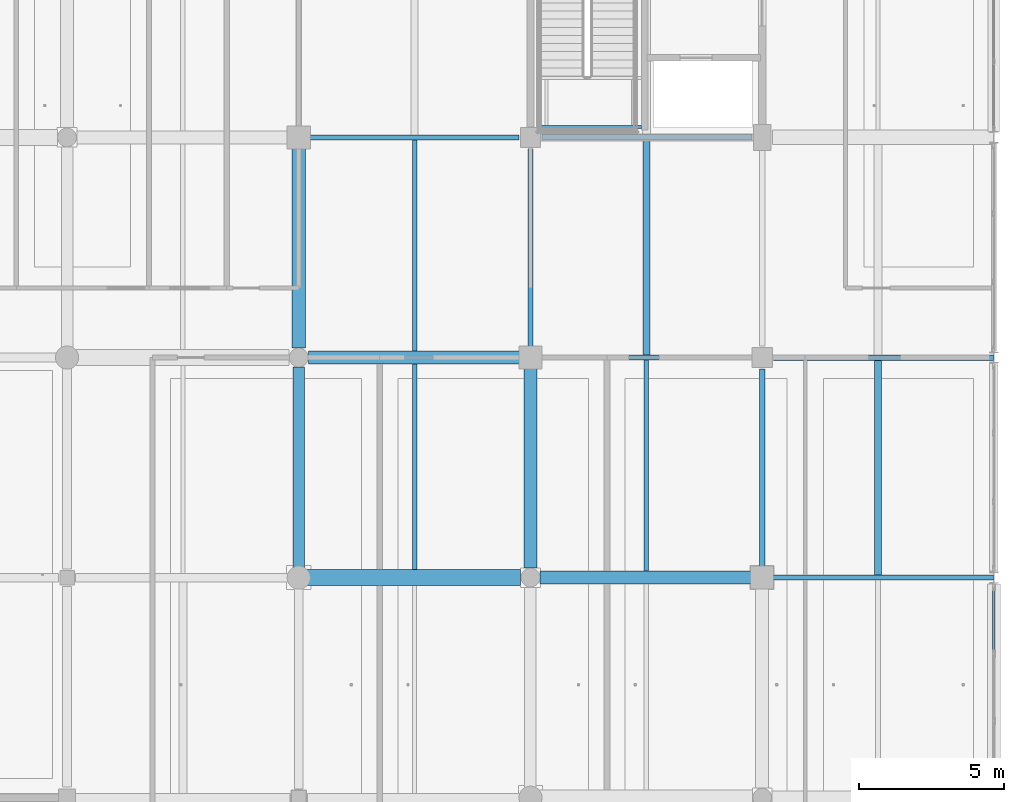
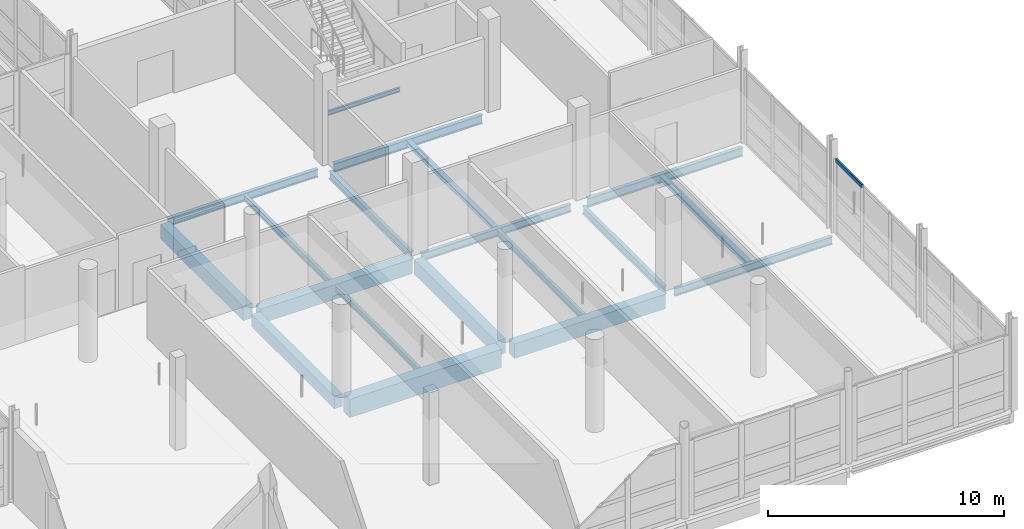
# One storey, part 47 of 147: 19 beams, 1 member, 1 element without a shape of its own.
"""IFC4 building model written with IfcOpenShell, lengths in metres."""

from ifc_helpers import new_model, si_unit, direction, frame, origin, origin_2d, place, context, subcontext, project, spatial, rectangle, hollow_rectangle, i_section, extrude, material, material_profile, profile_set, type_object, element, aggregate, save


model = new_model("IFC4")

# Units and contexts
model_context = context("Model", 3, precision=1e-05, world=origin(), true_north=direction((0.0, 1.0)))
body_context = subcontext(model_context, "Body", "Model", "MODEL_VIEW")
ifc_project = project(units=[si_unit("LENGTHUNIT", "METRE"), si_unit("AREAUNIT", "SQUARE_METRE"), si_unit("VOLUMEUNIT", "CUBIC_METRE"), si_unit("PLANEANGLEUNIT", "RADIAN"), si_unit("MASSUNIT", "GRAM", prefix="KILO")], contexts=[model_context])

# Site, building, storey
site_placement = place(None, origin())
site = spatial("IfcSite", under=ifc_project, at=site_placement, CompositionType="ELEMENT")
building_placement = place(site_placement, origin())
building = spatial("IfcBuilding", under=site, at=building_placement, Name="Khelvaren Railside Concert Hall", CompositionType="ELEMENT")
storey_placement = place(building_placement, frame((0.0, 0.0, 5.39990234375)))
storey = spatial("IfcBuildingStorey", under=building, at=storey_placement, Name="L01", CompositionType="ELEMENT", Elevation=5.39990234375)

# Beams
ifc_material_1 = material(Name="Steel S355", Category="steel")
ifc_material_profile_1 = material_profile(ifc_material_1, i_section(OverallWidth=0.179931640625, OverallDepth=0.39990234375, WebThickness=0.008544921875, FlangeThickness=0.013427734375, FilletRadius=0.02099609375, at=origin_2d()), Name="IPE 400")
ifc_profile_set_1 = profile_set([ifc_material_profile_1], Name="Steel S355")
beam_type_1 = type_object("IfcBeamType", Name="BM29", PredefinedType="BEAM", material=ifc_profile_set_1)
beam_1_placement = place(storey_placement, frame((176.27294921875, 15.199951171875, -0.5), z_axis=(1.0, 0.0, 0.0), x_axis=(0.0, 1.0, 0.0)))
element("IfcBeam", 1, at=beam_1_placement, inside=storey, type_object=beam_type_1, Name="V2 L01 Beam X3.5", PredefinedType="BEAM", context=body_context, shape_type="SweptSolid", body=[
    extrude(i_section(OverallWidth=0.179931640625, OverallDepth=0.39990234375, WebThickness=0.008544921875, FlangeThickness=0.013427734375, FilletRadius=0.02099609375, at=origin_2d()), origin(), (0.0, 0.0, 1.0), 7.717041015625),
])
for number, where, z_axis, x_axis, name in (
    (2, (168.27294921875, 22.800048828125, -0.5), (1.0, 0.0, 0.0), (0.0, 1.0, 0.0), "V2 L01 Beam X4.4"),
    (3, (160.27294921875, 30.39990234375, -0.5), (1.0, 0.0, 0.0), (0.0, 1.0, 0.0), "V2 L01 Beam X5.3"),
):
    element("IfcBeam", number, at=place(storey_placement, frame(where, z_axis=z_axis, x_axis=x_axis)), inside=storey, type_object=beam_type_1, Name=name, PredefinedType="BEAM", context=body_context, shape_type="SweptSolid", body=[
        extrude(i_section(OverallWidth=0.179931640625, OverallDepth=0.39990234375, WebThickness=0.008544921875, FlangeThickness=0.013427734375, FilletRadius=0.02099609375, at=origin_2d()), origin(), (0.0, 0.0, 1.0), 7.3271484375),
    ])
for number, where, z_axis, x_axis, name in (
    (4, (168.0, 23.072998046875, -0.5), (0.0, 1.0, 0.0), (-1.0, 0.0, 0.0), "V2 L01 Beam Y4.4"),
    (5, (176.0, 15.472900390625, -0.5), (0.0, 1.0, 0.0), (-1.0, 0.0, 0.0), "V2 L01 Beam Y5.3"),
):
    element("IfcBeam", number, at=place(storey_placement, frame(where, z_axis=z_axis, x_axis=x_axis)), inside=storey, type_object=beam_type_1, Name=name, PredefinedType="BEAM", context=body_context, shape_type="SweptSolid", body=[
        extrude(i_section(OverallWidth=0.179931640625, OverallDepth=0.39990234375, WebThickness=0.008544921875, FlangeThickness=0.013427734375, FilletRadius=0.02099609375, at=origin_2d()), origin(), (0.0, 0.0, 1.0), 6.927001953125),
    ])
ifc_material_2 = material(Name="Concrete C40/50", Category="concrete")
ifc_material_profile_2 = material_profile(ifc_material_2, rectangle(XDim=0.39990234375, YDim=0.64990234375, at=origin_2d()), Name="RCB 400x650")
ifc_profile_set_2 = profile_set([ifc_material_profile_2], Name="Concrete C40/50")
beam_type_2 = type_object("IfcBeamType", Name="BM33", PredefinedType="BEAM", material=ifc_profile_set_2)
beam_2_placement = place(storey_placement, frame((160.0, 15.449951171875, -0.625), z_axis=(0.0, 1.0, 0.0), x_axis=(-1.0, 0.0, 0.0)))
element("IfcBeam", 6, at=beam_2_placement, inside=storey, type_object=beam_type_2, Name="V2 L01 Beam Y3.3", PredefinedType="BEAM", context=body_context, shape_type="SweptSolid", body=[
    extrude(rectangle(XDim=0.39990234375, YDim=0.64990234375, at=origin_2d()), origin(), (0.0, 0.0, 1.0), 7.01416015625),
])
ifc_material_profile_3 = material_profile(ifc_material_2, rectangle(XDim=0.449951171875, YDim=0.75, at=origin_2d()), Name="RCB 450x750")
ifc_profile_set_3 = profile_set([ifc_material_profile_3], Name="Concrete C40/50")
beam_type_3 = type_object("IfcBeamType", Name="BM83", PredefinedType="BEAM", material=ifc_profile_set_3)
for number, where, z_axis, x_axis, name in (
    (7, (168.3359375, 15.199951171875, -0.6748046875), (1.0, 0.0, 0.0), (0.0, 1.0, 0.0), "V2 L01 Beam X3.4"),
    (8, (160.3359375, 22.800048828125, -0.6748046875), (1.0, 0.0, 0.0), (0.0, 1.0, 0.0), "V2 L01 Beam X4.3"),
):
    element("IfcBeam", number, at=place(storey_placement, frame(where, z_axis=z_axis, x_axis=x_axis)), inside=storey, type_object=beam_type_3, Name=name, PredefinedType="BEAM", context=body_context, shape_type="SweptSolid", body=[
        extrude(rectangle(XDim=0.449951171875, YDim=0.75, at=origin_2d()), origin(), (0.0, 0.0, 1.0), 7.39111328125),
    ])
beam_3_placement = place(storey_placement, frame((160.0, 23.135986328125, -0.6748046875), z_axis=(0.0, 1.0, 0.0), x_axis=(-1.0, 0.0, 0.0)))
element("IfcBeam", 9, at=beam_3_placement, inside=storey, type_object=beam_type_3, Name="V2 L01 Beam Y3.4", PredefinedType="BEAM", context=body_context, shape_type="SweptSolid", body=[
    extrude(rectangle(XDim=0.449951171875, YDim=0.75, at=origin_2d()), origin(), (0.0, 0.0, 1.0), 6.990966796875),
])
beam_4_placement = place(storey_placement, frame((168.0, 15.535888671875, -0.6748046875), z_axis=(0.0, 1.0, 0.0), x_axis=(-1.0, 0.0, 0.0)))
element("IfcBeam", 10, at=beam_4_placement, inside=storey, type_object=beam_type_3, Name="V2 L01 Beam Y4.3", PredefinedType="BEAM", context=body_context, shape_type="SweptSolid", body=[
    extrude(rectangle(XDim=0.449951171875, YDim=0.75, at=origin_2d()), origin(), (0.0, 0.0, 1.0), 6.9912109375),
])
ifc_material_profile_4 = material_profile(ifc_material_1, i_section(OverallWidth=0.110107421875, OverallDepth=0.219970703125, WebThickness=0.005859375, FlangeThickness=0.00927734375, FilletRadius=0.011962890625, at=origin_2d()), Name="IPE 220")
ifc_profile_set_4 = profile_set([ifc_material_profile_4], Name="Steel S355")
beam_type_4 = type_object("IfcBeamType", Name="BM87", PredefinedType="BEAM", material=ifc_profile_set_4)
beam_5_placement = place(storey_placement, frame((168.344970703125, 30.760009765625, 2.090087890625), z_axis=(1.0, 0.0, 0.0), x_axis=(0.0, 1.0, 0.0)))
element("IfcBeam", 11, at=beam_5_placement, inside=storey, type_object=beam_type_4, Name="ST-04 L01 Half-Landing Rear Beam", PredefinedType="BEAM", context=body_context, shape_type="SweptSolid", body=[
    extrude(i_section(OverallWidth=0.110107421875, OverallDepth=0.219970703125, WebThickness=0.005859375, FlangeThickness=0.00927734375, FilletRadius=0.011962890625, at=origin_2d()), origin(), (0.0, 0.0, 1.0), 3.4951171875),
])
ifc_material_profile_5 = material_profile(ifc_material_1, i_section(OverallWidth=0.18994140625, OverallDepth=0.449951171875, WebThickness=0.009521484375, FlangeThickness=0.0146484375, FilletRadius=0.02099609375, at=origin_2d()), Name="IPE 450")
ifc_profile_set_5 = profile_set([ifc_material_profile_5], Name="Steel S355")
beam_type_5 = type_object("IfcBeamType", Name="BM95", PredefinedType="BEAM", material=ifc_profile_set_5)
beam_6_placement = place(storey_placement, frame((176.39990234375, 22.800048828125, -0.52490234375), z_axis=(1.0, 0.0, 0.0), x_axis=(0.0, 1.0, 0.0)))
element("IfcBeam", 12, at=beam_6_placement, inside=storey, type_object=beam_type_5, Name="V2 L01 Beam X4.5", PredefinedType="BEAM", context=body_context, shape_type="SweptSolid", body=[
    extrude(i_section(OverallWidth=0.18994140625, OverallDepth=0.449951171875, WebThickness=0.009521484375, FlangeThickness=0.0146484375, FilletRadius=0.02099609375, at=origin_2d()), origin(), (0.0, 0.0, 1.0), 7.590087890625),
])
beam_7_placement = place(storey_placement, frame((168.39990234375, 30.39990234375, -0.52490234375), z_axis=(1.0, 0.0, 0.0), x_axis=(0.0, 1.0, 0.0)))
element("IfcBeam", 13, at=beam_7_placement, inside=storey, type_object=beam_type_5, Name="V2 L01 Beam X5.4", PredefinedType="BEAM", context=body_context, shape_type="SweptSolid", body=[
    extrude(i_section(OverallWidth=0.18994140625, OverallDepth=0.449951171875, WebThickness=0.009521484375, FlangeThickness=0.0146484375, FilletRadius=0.02099609375, at=origin_2d()), origin(), (0.0, 0.0, 1.0), 7.25),
])

# Curtain wall, member
ifc_material_3 = material(Name="Acoustic laminated crystal facade glass", Category="glass")
curtain_wall_type = type_object("IfcCurtainWallType", Name="CW54", PredefinedType="USERDEFINED", material=ifc_material_3)
curtain_wall_placement = place(storey_placement, origin())
curtain_wall = element("IfcCurtainWall", 14, at=curtain_wall_placement, inside=storey, type_object=curtain_wall_type, Name="Unitised Curtain Wall CW-V2-L01-E-8", ObjectType="UNITISED CURTAIN WALL", PredefinedType="USERDEFINED")
ifc_material_4 = material(Name="Anodised architectural aluminium 6063-T6", Category="aluminium")
ifc_material_profile_6 = material_profile(ifc_material_4, hollow_rectangle(XDim=0.0849609375, YDim=0.18994140625, WallThickness=0.0048828125, InnerFilletRadius=0.0029296875, OuterFilletRadius=0.0048828125, at=origin_2d()), Name="CWT 85x190x5")
ifc_profile_set_6 = profile_set([ifc_material_profile_6], Name="Anodised architectural aluminium 6063-T6")
member_type = type_object("IfcMemberType", Name="CWT31", PredefinedType="USERDEFINED", material=ifc_profile_set_6)
member_placement = place(storey_placement, frame((184.0, 14.83740234375, 3.8076171875), z_axis=(0.0, -1.0, 0.0), x_axis=(1.0, 0.0, 0.0)))
member = element("IfcMember", 15, at=member_placement, type_object=member_type, Name="CW54 transom 1.4", ObjectType="TRANSOM", PredefinedType="USERDEFINED", context=body_context, shape_type="SweptSolid", body=[
    extrude(hollow_rectangle(XDim=0.0849609375, YDim=0.18994140625, WallThickness=0.0048828125, InnerFilletRadius=0.0029296875, OuterFilletRadius=0.0048828125, at=origin_2d()), origin(), (0.0, 0.0, 1.0), 2.21240234375),
])
aggregate(curtain_wall, [member])

# Beams
ifc_material_profile_7 = material_profile(ifc_material_2, rectangle(XDim=0.550048828125, YDim=0.949951171875, at=origin_2d()), Name="RCB 550x950")
ifc_profile_set_7 = profile_set([ifc_material_profile_7], Name="Concrete C40/50")
beam_type_6 = type_object("IfcBeamType", Name="GR57", PredefinedType="T_BEAM", material=ifc_profile_set_7)
beam_8_placement = place(storey_placement, frame((160.25, 15.199951171875, -0.77490234375), z_axis=(1.0, 0.0, 0.0), x_axis=(0.0, 1.0, 0.0)))
element("IfcBeam", 16, at=beam_8_placement, inside=storey, type_object=beam_type_6, Name="V2 L01 T_Beam X3.3", PredefinedType="T_BEAM", context=body_context, shape_type="SweptSolid", body=[
    extrude(rectangle(XDim=0.550048828125, YDim=0.949951171875, at=origin_2d()), origin(), (0.0, 0.0, 1.0), 7.4140625),
])
ifc_material_profile_8 = material_profile(ifc_material_1, i_section(OverallWidth=0.14990234375, OverallDepth=0.300048828125, WebThickness=0.007080078125, FlangeThickness=0.0107421875, FilletRadius=0.014892578125, at=origin_2d()), Name="IPE 300")
ifc_profile_set_8 = profile_set([ifc_material_profile_8], Name="Steel S355")
beam_type_7 = type_object("IfcBeamType", Name="JS26", PredefinedType="JOIST", material=ifc_profile_set_8)
beam_9_placement = place(storey_placement, frame((164.0, 15.47509765625, -0.449951171875), z_axis=(0.0, 1.0, 0.0), x_axis=(-1.0, 0.0, 0.0)))
element("IfcBeam", 17, at=beam_9_placement, inside=storey, type_object=beam_type_7, Name="V2 L01 Secondary Joist 3.3", PredefinedType="JOIST", context=body_context, shape_type="SweptSolid", body=[
    extrude(i_section(OverallWidth=0.14990234375, OverallDepth=0.300048828125, WebThickness=0.007080078125, FlangeThickness=0.0107421875, FilletRadius=0.014892578125, at=origin_2d()), origin(), (0.0, 0.0, 1.0), 7.099853515625),
])
ifc_material_profile_9 = material_profile(ifc_material_1, i_section(OverallWidth=0.159912109375, OverallDepth=0.330078125, WebThickness=0.007568359375, FlangeThickness=0.011474609375, FilletRadius=0.01806640625, at=origin_2d()), Name="IPE 330")
ifc_profile_set_9 = profile_set([ifc_material_profile_9], Name="Steel S355")
beam_type_8 = type_object("IfcBeamType", Name="JS65", PredefinedType="JOIST", material=ifc_profile_set_9)
beam_10_placement = place(storey_placement, frame((164.0, 23.02490234375, -0.46484375), z_axis=(0.0, 1.0, 0.0), x_axis=(-1.0, 0.0, 0.0)))
element("IfcBeam", 18, at=beam_10_placement, inside=storey, type_object=beam_type_8, Name="V2 L01 Secondary Joist 3.4", PredefinedType="JOIST", context=body_context, shape_type="SweptSolid", body=[
    extrude(i_section(OverallWidth=0.159912109375, OverallDepth=0.330078125, WebThickness=0.007568359375, FlangeThickness=0.011474609375, FilletRadius=0.01806640625, at=origin_2d()), origin(), (0.0, 0.0, 1.0), 7.28515625),
])
beam_11_placement = place(storey_placement, frame((172.0, 15.425048828125, -0.46484375), z_axis=(0.0, 1.0, 0.0), x_axis=(-1.0, 0.0, 0.0)))
element("IfcBeam", 19, at=beam_11_placement, inside=storey, type_object=beam_type_8, Name="V2 L01 Secondary Joist 4.3", PredefinedType="JOIST", context=body_context, shape_type="SweptSolid", body=[
    extrude(i_section(OverallWidth=0.159912109375, OverallDepth=0.330078125, WebThickness=0.007568359375, FlangeThickness=0.011474609375, FilletRadius=0.01806640625, at=origin_2d()), origin(), (0.0, 0.0, 1.0), 7.284912109375),
])
ifc_material_profile_10 = material_profile(ifc_material_1, i_section(OverallWidth=0.239990234375, OverallDepth=0.22998046875, WebThickness=0.007568359375, FlangeThickness=0.011962890625, FilletRadius=0.02099609375, at=origin_2d()), Name="HEA 240")
ifc_profile_set_10 = profile_set([ifc_material_profile_10], Name="Steel S355")
beam_type_9 = type_object("IfcBeamType", Name="JS76", PredefinedType="JOIST", material=ifc_profile_set_10)
for number, where, z_axis, x_axis, name in (
    (20, (172.0, 22.889892578125, -0.414794921875), (0.0, 1.0, 0.0), (-1.0, 0.0, 0.0), "V2 L01 Secondary Joist 4.4"),
    (21, (180.0, 15.2900390625, -0.414794921875), (0.0, 1.0, 0.0), (-1.0, 0.0, 0.0), "V2 L01 Secondary Joist 5.3"),
):
    element("IfcBeam", number, at=place(storey_placement, frame(where, z_axis=z_axis, x_axis=x_axis)), inside=storey, type_object=beam_type_9, Name=name, PredefinedType="JOIST", context=body_context, shape_type="SweptSolid", body=[
        extrude(i_section(OverallWidth=0.239990234375, OverallDepth=0.22998046875, WebThickness=0.007568359375, FlangeThickness=0.011962890625, FilletRadius=0.02099609375, at=origin_2d()), origin(), (0.0, 0.0, 1.0), 7.4150390625),
    ])

save(model, "model.ifc")
